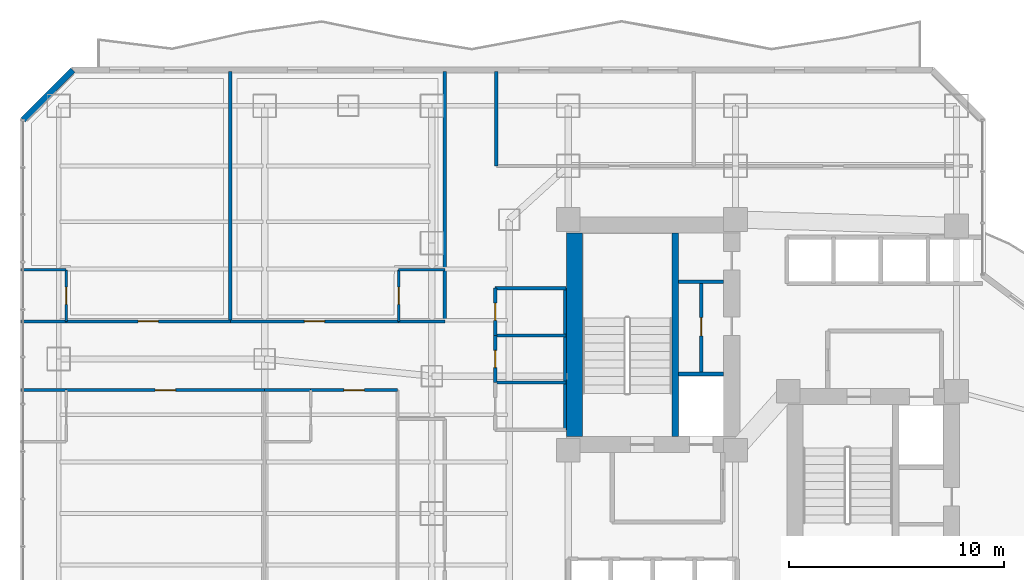
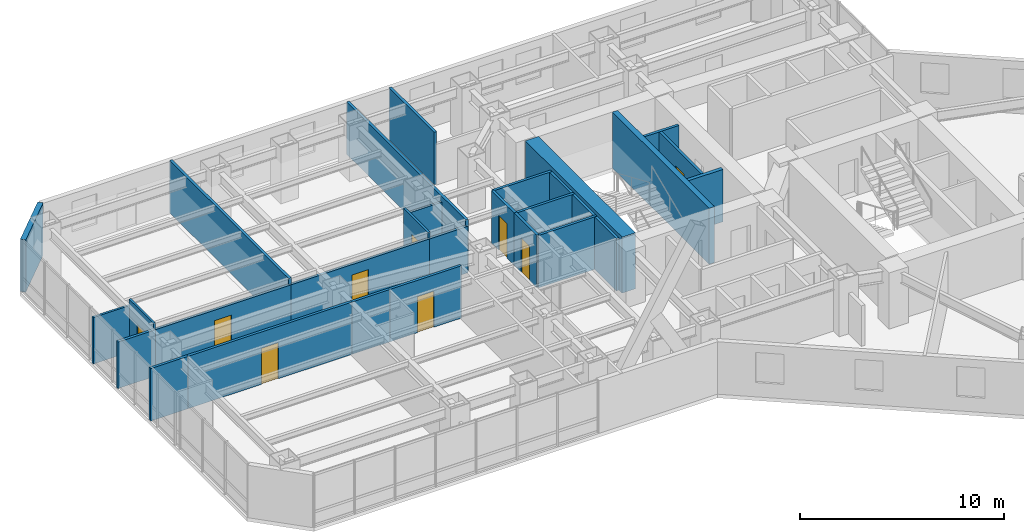
# One storey, part 26 of 33: 27 walls, 9 doors, 9 openings.
"""IFC4 building model written with IfcOpenShell, lengths in metres."""

from ifc_helpers import new_model, si_unit, direction, frame, frame_2d, origin, place, context, subcontext, project, spatial, rectangle, extrude, material, layer, layer_set, type_object, element, fill, save


model = new_model("IFC4")

# Units and contexts
model_context = context("Model", 3, precision=1e-05, world=origin(), true_north=direction((0.0, 1.0)))
body_context = subcontext(model_context, "Body", "Model", "MODEL_VIEW")
ifc_project = project(units=[si_unit("LENGTHUNIT", "METRE"), si_unit("AREAUNIT", "SQUARE_METRE"), si_unit("VOLUMEUNIT", "CUBIC_METRE"), si_unit("PLANEANGLEUNIT", "RADIAN"), si_unit("MASSUNIT", "GRAM", prefix="KILO")], contexts=[model_context])

# Site, building, storey
site_placement = place(None, origin())
site = spatial("IfcSite", under=ifc_project, at=site_placement, CompositionType="ELEMENT")
building_placement = place(site_placement, origin())
building = spatial("IfcBuilding", under=site, at=building_placement, Name="Hatsunagi Terrace Concourse", CompositionType="ELEMENT")
storey_placement = place(building_placement, frame((0.0, 0.0, 53.35009765625)))
storey = spatial("IfcBuildingStorey", under=building, at=storey_placement, Name="L13", CompositionType="ELEMENT", Elevation=53.35009765625)

# Walls
ifc_material_1 = material(Name="Concrete Fc60", Category="concrete")
ifc_layer_1 = layer(ifc_material_1, 0.75)
ifc_layer_set_1 = layer_set([ifc_layer_1], Name="CoreShearWall_Fc60_750")
wall_type_1 = type_object("IfcWallType", Name="CoreShearWall_Fc60_750", PredefinedType="SHEAR", material=ifc_layer_set_1)
wall_1_placement = place(storey_placement, frame((25.844970703125, 33.18994140625, 0.0), z_axis=(0.0, 0.0, 1.0), x_axis=(0.0, 1.0, 0.0)))
element("IfcWall", 1, at=wall_1_placement, inside=storey, type_object=wall_type_1, Name="Core A Shear Wall W L13", PredefinedType="SHEAR", context=body_context, shape_type="SweptSolid", body=[
    extrude(rectangle(XDim=9.47998046875, YDim=0.75, at=frame_2d((4.739990234375, 0.0))), origin(), (0.0, 0.0, 1.0), 3.349853515625),
])
ifc_material_2 = material(Name="Concrete Fc48", Category="concrete")
ifc_layer_2 = layer(ifc_material_2, 0.300048828125)
ifc_layer_set_2 = layer_set([ifc_layer_2], Name="CoreStairDivider_Fc48_300")
wall_type_2 = type_object("IfcWallType", Name="CoreStairDivider_Fc48_300", PredefinedType="SHEAR", material=ifc_layer_set_2)
wall_2_placement = place(storey_placement, frame((30.5400390625, 33.18994140625, 0.0), z_axis=(0.0, 0.0, 1.0), x_axis=(0.0, 1.0, 0.0)))
element("IfcWall", 2, at=wall_2_placement, inside=storey, type_object=wall_type_2, Name="Core A Shear Wall D L13", PredefinedType="SHEAR", context=body_context, shape_type="SweptSolid", body=[
    extrude(rectangle(XDim=9.47998046875, YDim=0.300048828125, at=frame_2d((4.739990234375, 0.0))), origin(), (0.0, 0.0, 1.0), 3.349853515625),
])

# Wall, opening, door
ifc_material_3 = material(Name="Acoustic mineral board", Category="gypsum")
ifc_layer_3 = layer(ifc_material_3, 0.1201171875)
ifc_layer_set_3 = layer_set([ifc_layer_3], Name="PartitionWall_EI30_120")
wall_type_3 = type_object("IfcWallType", Name="PartitionWall_EI30_120", PredefinedType="PARTITIONING", material=ifc_layer_set_3)
wall_3_placement = place(storey_placement, frame((2.14990234375, 38.550048828125, 0.0), z_axis=(0.0, 0.0, 1.0), x_axis=(0.0, 1.0, 0.0)))
wall_3 = element("IfcWall", 3, at=wall_3_placement, inside=storey, type_object=wall_type_3, Name="Interior Partition IW-L13-047", PredefinedType="PARTITIONING", context=body_context, shape_type="SweptSolid", body=[
    extrude(rectangle(XDim=2.39990234375, YDim=0.1201171875, at=frame_2d((1.199951171875, 0.0))), origin(), (0.0, 0.0, 1.0), 3.1298828125),
])
opening_1_placement = place(wall_3_placement, frame((0.800048828125, 0.0, 0.0)))
opening_1 = element("IfcOpeningElement", 4, at=opening_1_placement, cuts=wall_3, Name="Opening DR-080", PredefinedType="OPENING", context=body_context, shape_type="SweptSolid", body=[
    extrude(rectangle(XDim=0.800048828125, YDim=2.06005859375, at=frame_2d((0.39990234375, 1.030029296875))), frame((0.0, 0.070068359375, 0.0), z_axis=(0.0, -1.0, 0.0), x_axis=(1.0, 0.0, 0.0)), (0.0, 0.0, 1.0), 0.14013671875),
])
ifc_material_4 = material(Name="Hardwood timber", Category="wood")
door_type_1 = type_object("IfcDoorType", Name="BathroomDoor_800", OperationType="NOTDEFINED", PredefinedType="DOOR", material=ifc_material_4)
door_1_placement = place(opening_1_placement, origin())
door_1 = element("IfcDoor", 5, at=door_1_placement, inside=storey, type_object=door_type_1, Name="En-Suite Bathroom L13-N1 Door", OperationType="SINGLE_SWING_RIGHT", OverallHeight=2.06005859375, OverallWidth=0.800048828125, PredefinedType="DOOR", context=body_context, shape_type="SweptSolid", body=[
    extrude(rectangle(XDim=0.800048828125, YDim=2.06005859375, at=frame_2d((0.39990234375, 1.030029296875))), frame((0.0, 0.02490234375, 0.0), z_axis=(0.0, -1.0, 0.0), x_axis=(1.0, 0.0, 0.0)), (0.0, 0.0, 1.0), 0.050048828125),
])
fill(opening_1, door_1)

# Wall
wall_4_placement = place(storey_placement, frame((0.0400390625, 40.949951171875, 0.0), z_axis=(0.0, 0.0, 1.0), x_axis=(1.0, 0.0, 0.0)))
element("IfcWall", 6, at=wall_4_placement, inside=storey, type_object=wall_type_3, Name="Interior Partition IW-L13-048", PredefinedType="PARTITIONING", context=body_context, shape_type="SweptSolid", body=[
    extrude(rectangle(XDim=2.10986328125, YDim=0.1201171875, at=frame_2d((1.054931640625, 0.0))), origin(), (0.0, 0.0, 1.0), 2.77490234375),
])

# Wall, opening, door
wall_5_placement = place(storey_placement, frame((17.64990234375, 38.550048828125, 0.0), z_axis=(0.0, 0.0, 1.0), x_axis=(0.0, 1.0, 0.0)))
wall_5 = element("IfcWall", 7, at=wall_5_placement, inside=storey, type_object=wall_type_3, Name="Interior Partition IW-L13-052", PredefinedType="PARTITIONING", context=body_context, shape_type="SweptSolid", body=[
    extrude(rectangle(XDim=2.39990234375, YDim=0.1201171875, at=frame_2d((1.199951171875, 0.0))), origin(), (0.0, 0.0, 1.0), 3.1298828125),
])
opening_2_placement = place(wall_5_placement, frame((0.800048828125, 0.0, 0.0)))
opening_2 = element("IfcOpeningElement", 8, at=opening_2_placement, cuts=wall_5, Name="Opening DR-080", PredefinedType="OPENING", context=body_context, shape_type="SweptSolid", body=[
    extrude(rectangle(XDim=0.800048828125, YDim=2.06005859375, at=frame_2d((0.39990234375, 1.030029296875))), frame((0.0, 0.070068359375, 0.0), z_axis=(0.0, -1.0, 0.0), x_axis=(1.0, 0.0, 0.0)), (0.0, 0.0, 1.0), 0.14013671875),
])
door_2_placement = place(opening_2_placement, origin())
door_2 = element("IfcDoor", 9, at=door_2_placement, inside=storey, type_object=door_type_1, Name="En-Suite Bathroom L13-N2 Door", OperationType="SINGLE_SWING_LEFT", OverallHeight=2.06005859375, OverallWidth=0.800048828125, PredefinedType="DOOR", context=body_context, shape_type="SweptSolid", body=[
    extrude(rectangle(XDim=0.800048828125, YDim=2.06005859375, at=frame_2d((0.39990234375, 1.030029296875))), frame((0.0, 0.02490234375, 0.0), z_axis=(0.0, -1.0, 0.0), x_axis=(1.0, 0.0, 0.0)), (0.0, 0.0, 1.0), 0.050048828125),
])
fill(opening_2, door_2)

# Wall
wall_6_placement = place(storey_placement, frame((17.64990234375, 40.949951171875, 0.0), z_axis=(0.0, 0.0, 1.0), x_axis=(1.0, 0.0, 0.0)))
element("IfcWall", 10, at=wall_6_placement, inside=storey, type_object=wall_type_3, Name="Interior Partition IW-L13-053", PredefinedType="PARTITIONING", context=body_context, shape_type="SweptSolid", body=[
    extrude(rectangle(XDim=2.150146484375, YDim=0.1201171875, at=frame_2d((1.0751953125, 0.0))), origin(), (0.0, 0.0, 1.0), 2.77490234375),
])

# Wall, opening, door
ifc_material_5 = material(Name="Acoustic mineral board", Category="gypsum")
ifc_layer_4 = layer(ifc_material_5, 0.14990234375)
ifc_layer_set_4 = layer_set([ifc_layer_4], Name="PartitionWall_EI60_150")
wall_type_4 = type_object("IfcWallType", Name="PartitionWall_EI60_150", PredefinedType="PARTITIONING", material=ifc_layer_set_4)
wall_7_placement = place(storey_placement, frame((31.75, 36.179931640625, 0.0), z_axis=(0.0, 0.0, 1.0), x_axis=(0.0, 1.0, 0.0)))
wall_7 = element("IfcWall", 11, at=wall_7_placement, inside=storey, type_object=wall_type_4, Name="Interior Partition IW-L13-002", PredefinedType="PARTITIONING", context=body_context, shape_type="SweptSolid", body=[
    extrude(rectangle(XDim=4.239990234375, YDim=0.14990234375, at=frame_2d((2.1201171875, 0.0))), origin(), (0.0, 0.0, 1.0), 3.1298828125),
])
opening_3_placement = place(wall_7_placement, frame((1.695068359375, 0.0, 0.0)))
opening_3 = element("IfcOpeningElement", 12, at=opening_3_placement, cuts=wall_7, Name="Opening DR-085", PredefinedType="OPENING", context=body_context, shape_type="SweptSolid", body=[
    extrude(rectangle(XDim=0.85009765625, YDim=2.080078125, at=frame_2d((0.425048828125, 1.0400390625))), frame((0.0, 0.0849609375, 0.0), z_axis=(0.0, -1.0, 0.0), x_axis=(1.0, 0.0, 0.0)), (0.0, 0.0, 1.0), 0.169921875),
])
ifc_material_6 = material(Name="Painted steel", Category="steel")
door_type_2 = type_object("IfcDoorType", Name="RiserAccessDoor_EI60_850", OperationType="NOTDEFINED", PredefinedType="DOOR", material=ifc_material_6)
door_3_placement = place(opening_3_placement, origin())
door_3 = element("IfcDoor", 13, at=door_3_placement, inside=storey, type_object=door_type_2, Name="Core A Sub-Riser Door L13", OperationType="SINGLE_SWING_LEFT", OverallHeight=2.080078125, OverallWidth=0.85009765625, PredefinedType="DOOR", context=body_context, shape_type="SweptSolid", body=[
    extrude(rectangle(XDim=0.85009765625, YDim=2.080078125, at=frame_2d((0.425048828125, 1.0400390625))), frame((0.0, 0.02490234375, 0.0), z_axis=(0.0, -1.0, 0.0), x_axis=(1.0, 0.0, 0.0)), (0.0, 0.0, 1.0), 0.050048828125),
])
fill(opening_3, door_3)

# Walls
wall_8_placement = place(storey_placement, frame((30.699951171875, 40.39990234375, 0.0), z_axis=(0.0, 0.0, 1.0), x_axis=(1.0, 0.0, 0.0)))
element("IfcWall", 14, at=wall_8_placement, inside=storey, type_object=wall_type_4, Name="Interior Partition IW-L13-003", PredefinedType="PARTITIONING", context=body_context, shape_type="SweptSolid", body=[
    extrude(rectangle(XDim=2.10009765625, YDim=0.14990234375, at=frame_2d((1.050048828125, 0.0))), origin(), (0.0, 0.0, 1.0), 3.1298828125),
])
wall_9_placement = place(storey_placement, frame((22.14990234375, 40.10009765625, 0.0), z_axis=(0.0, 0.0, 1.0), x_axis=(1.0, 0.0, 0.0)))
element("IfcWall", 15, at=wall_9_placement, inside=storey, type_object=wall_type_4, Name="Interior Partition IW-L13-031", PredefinedType="PARTITIONING", context=body_context, shape_type="SweptSolid", body=[
    extrude(rectangle(XDim=3.300048828125, YDim=0.14990234375, at=frame_2d((1.64990234375, 0.0))), origin(), (0.0, 0.0, 1.0), 3.1298828125),
])
wall_10_placement = place(storey_placement, frame((25.39990234375, 33.5, 0.0), z_axis=(0.0, 0.0, 1.0), x_axis=(0.0, 1.0, 0.0)))
element("IfcWall", 16, at=wall_10_placement, inside=storey, type_object=wall_type_4, Name="Interior Partition IW-L13-032", PredefinedType="PARTITIONING", context=body_context, shape_type="SweptSolid", body=[
    extrude(rectangle(XDim=6.60009765625, YDim=0.14990234375, at=frame_2d((3.300048828125, 0.0))), origin(), (0.0, 0.0, 1.0), 3.1298828125),
])
for number, where, z_axis, x_axis, name in (
    (17, (22.14990234375, 35.699951171875, 0.0), (0.0, 0.0, 1.0), (1.0, 0.0, 0.0), "Interior Partition IW-L13-033"),
    (18, (22.14990234375, 37.89990234375, 0.0), (0.0, 0.0, 1.0), (1.0, 0.0, 0.0), "Interior Partition IW-L13-034"),
):
    element("IfcWall", number, at=place(storey_placement, frame(where, z_axis=z_axis, x_axis=x_axis)), inside=storey, type_object=wall_type_4, Name=name, PredefinedType="PARTITIONING", context=body_context, shape_type="SweptSolid", body=[
        extrude(rectangle(XDim=3.300048828125, YDim=0.14990234375, at=frame_2d((1.64990234375, 0.0))), origin(), (0.0, 0.0, 1.0), 3.1298828125),
    ])

# Wall, opening, door
wall_11_placement = place(storey_placement, frame((22.14990234375, 35.699951171875, 0.0), z_axis=(0.0, 0.0, 1.0), x_axis=(0.0, 1.0, 0.0)))
wall_11 = element("IfcWall", 19, at=wall_11_placement, inside=storey, type_object=wall_type_4, Name="Interior Partition IW-L13-036", PredefinedType="PARTITIONING", context=body_context, shape_type="SweptSolid", body=[
    extrude(rectangle(XDim=2.199951171875, YDim=0.14990234375, at=frame_2d((1.10009765625, 0.0))), origin(), (0.0, 0.0, 1.0), 3.1298828125),
])
opening_4_placement = place(wall_11_placement, frame((0.699951171875, 0.0, 0.0)))
opening_4 = element("IfcOpeningElement", 20, at=opening_4_placement, cuts=wall_11, Name="Opening DR-080", PredefinedType="OPENING", context=body_context, shape_type="SweptSolid", body=[
    extrude(rectangle(XDim=0.800048828125, YDim=2.06005859375, at=frame_2d((0.39990234375, 1.030029296875))), frame((0.0, 0.0849609375, 0.0), z_axis=(0.0, -1.0, 0.0), x_axis=(1.0, 0.0, 0.0)), (0.0, 0.0, 1.0), 0.169921875),
])
door_4_placement = place(opening_4_placement, origin())
door_4 = element("IfcDoor", 21, at=door_4_placement, inside=storey, type_object=door_type_1, Name="Female Restroom Door L13", OperationType="SINGLE_SWING_RIGHT", OverallHeight=2.06005859375, OverallWidth=0.800048828125, PredefinedType="DOOR", context=body_context, shape_type="SweptSolid", body=[
    extrude(rectangle(XDim=0.800048828125, YDim=2.06005859375, at=frame_2d((0.39990234375, 1.030029296875))), frame((0.0, 0.02490234375, 0.0), z_axis=(0.0, -1.0, 0.0), x_axis=(1.0, 0.0, 0.0)), (0.0, 0.0, 1.0), 0.050048828125),
])
fill(opening_4, door_4)

wall_12_placement = place(storey_placement, frame((22.14990234375, 37.89990234375, 0.0), z_axis=(0.0, 0.0, 1.0), x_axis=(0.0, 1.0, 0.0)))
wall_12 = element("IfcWall", 22, at=wall_12_placement, inside=storey, type_object=wall_type_4, Name="Interior Partition IW-L13-037", PredefinedType="PARTITIONING", context=body_context, shape_type="SweptSolid", body=[
    extrude(rectangle(XDim=2.2001953125, YDim=0.14990234375, at=frame_2d((1.10009765625, 0.0))), origin(), (0.0, 0.0, 1.0), 3.1298828125),
])
opening_5_placement = place(wall_12_placement, frame((0.699951171875, 0.0, 0.0)))
opening_5 = element("IfcOpeningElement", 23, at=opening_5_placement, cuts=wall_12, Name="Opening DR-080", PredefinedType="OPENING", context=body_context, shape_type="SweptSolid", body=[
    extrude(rectangle(XDim=0.800048828125, YDim=2.06005859375, at=frame_2d((0.39990234375, 1.030029296875))), frame((0.0, 0.0849609375, 0.0), z_axis=(0.0, -1.0, 0.0), x_axis=(1.0, 0.0, 0.0)), (0.0, 0.0, 1.0), 0.169921875),
])
door_5_placement = place(opening_5_placement, origin())
door_5 = element("IfcDoor", 24, at=door_5_placement, inside=storey, type_object=door_type_1, Name="Male Restroom Door L13", OperationType="SINGLE_SWING_RIGHT", OverallHeight=2.06005859375, OverallWidth=0.800048828125, PredefinedType="DOOR", context=body_context, shape_type="SweptSolid", body=[
    extrude(rectangle(XDim=0.800048828125, YDim=2.06005859375, at=frame_2d((0.39990234375, 1.030029296875))), frame((0.0, 0.02490234375, 0.0), z_axis=(0.0, -1.0, 0.0), x_axis=(1.0, 0.0, 0.0)), (0.0, 0.0, 1.0), 0.050048828125),
])
fill(opening_5, door_5)

# Walls
wall_13_placement = place(storey_placement, frame((22.199951171875, 45.800048828125, 0.0), z_axis=(0.0, 0.0, 1.0), x_axis=(0.0, 1.0, 0.0)))
element("IfcWall", 25, at=wall_13_placement, inside=storey, type_object=wall_type_4, Name="Interior Partition IW-L13-039", PredefinedType="PARTITIONING", context=body_context, shape_type="SweptSolid", body=[
    extrude(rectangle(XDim=4.39990234375, YDim=0.14990234375, at=frame_2d((2.199951171875, 0.0))), origin(), (0.0, 0.0, 1.0), 3.1298828125),
])
wall_14_placement = place(storey_placement, frame((0.0400390625, 38.550048828125, 0.0), z_axis=(0.0, 0.0, 1.0), x_axis=(1.0, 0.0, 0.0)))
element("IfcWall", 26, at=wall_14_placement, inside=storey, type_object=wall_type_4, Name="Interior Partition IW-L13-045", PredefinedType="PARTITIONING", context=body_context, shape_type="SweptSolid", body=[
    extrude(rectangle(XDim=2.10986328125, YDim=0.14990234375, at=frame_2d((1.054931640625, 0.0))), origin(), (0.0, 0.0, 1.0), 2.77490234375),
])

# Wall, opening, door
wall_15_placement = place(storey_placement, frame((2.14990234375, 38.550048828125, 0.0), z_axis=(0.0, 0.0, 1.0), x_axis=(1.0, 0.0, 0.0)))
wall_15 = element("IfcWall", 27, at=wall_15_placement, inside=storey, type_object=wall_type_4, Name="Interior Partition IW-L13-046", PredefinedType="PARTITIONING", context=body_context, shape_type="SweptSolid", body=[
    extrude(rectangle(XDim=7.650146484375, YDim=0.14990234375, at=frame_2d((3.8251953125, 0.0))), origin(), (0.0, 0.0, 1.0), 2.77490234375),
])
opening_6_placement = place(wall_15_placement, frame((3.35009765625, 0.0, 0.0)))
opening_6 = element("IfcOpeningElement", 28, at=opening_6_placement, cuts=wall_15, Name="Opening DR-095", PredefinedType="OPENING", context=body_context, shape_type="SweptSolid", body=[
    extrude(rectangle(XDim=0.949951171875, YDim=2.14990234375, at=frame_2d((0.47509765625, 1.074951171875))), frame((0.0, 0.0849609375, 0.0), z_axis=(0.0, -1.0, 0.0), x_axis=(1.0, 0.0, 0.0)), (0.0, 0.0, 1.0), 0.169921875),
])
ifc_material_7 = material(Name="Hardwood timber", Category="wood")
door_type_3 = type_object("IfcDoorType", Name="InteriorSuiteDoor_EI30_950", OperationType="NOTDEFINED", PredefinedType="DOOR", material=ifc_material_7)
door_6_placement = place(opening_6_placement, origin())
door_6 = element("IfcDoor", 29, at=door_6_placement, inside=storey, type_object=door_type_3, Name="Corner Hotel Suite L13-N1 Door", OperationType="SINGLE_SWING_LEFT", OverallHeight=2.14990234375, OverallWidth=0.949951171875, PredefinedType="DOOR", context=body_context, shape_type="SweptSolid", body=[
    extrude(rectangle(XDim=0.949951171875, YDim=2.14990234375, at=frame_2d((0.47509765625, 1.074951171875))), frame((0.0, 0.02490234375, 0.0), z_axis=(0.0, -1.0, 0.0), x_axis=(1.0, 0.0, 0.0)), (0.0, 0.0, 1.0), 0.050048828125),
])
fill(opening_6, door_6)

# Wall
wall_16_placement = place(storey_placement, frame((9.800048828125, 38.550048828125, 0.0), z_axis=(0.0, 0.0, 1.0), x_axis=(0.0, 1.0, 0.0)))
element("IfcWall", 30, at=wall_16_placement, inside=storey, type_object=wall_type_4, Name="Interior Partition IW-L13-049", PredefinedType="PARTITIONING", context=body_context, shape_type="SweptSolid", body=[
    extrude(rectangle(XDim=11.64990234375, YDim=0.14990234375, at=frame_2d((5.824951171875, 0.0))), origin(), (0.0, 0.0, 1.0), 3.1298828125),
])

# Wall, opening, door
wall_17_placement = place(storey_placement, frame((9.800048828125, 38.550048828125, 0.0), z_axis=(0.0, 0.0, 1.0), x_axis=(1.0, 0.0, 0.0)))
wall_17 = element("IfcWall", 31, at=wall_17_placement, inside=storey, type_object=wall_type_4, Name="Interior Partition IW-L13-050", PredefinedType="PARTITIONING", context=body_context, shape_type="SweptSolid", body=[
    extrude(rectangle(XDim=7.849853515625, YDim=0.14990234375, at=frame_2d((3.9248046875, 0.0))), origin(), (0.0, 0.0, 1.0), 2.77490234375),
])
opening_7_placement = place(wall_17_placement, frame((3.449951171875, 0.0, 0.0)))
opening_7 = element("IfcOpeningElement", 32, at=opening_7_placement, cuts=wall_17, Name="Opening DR-095", PredefinedType="OPENING", context=body_context, shape_type="SweptSolid", body=[
    extrude(rectangle(XDim=0.949951171875, YDim=2.14990234375, at=frame_2d((0.47509765625, 1.074951171875))), frame((0.0, 0.0849609375, 0.0), z_axis=(0.0, -1.0, 0.0), x_axis=(1.0, 0.0, 0.0)), (0.0, 0.0, 1.0), 0.169921875),
])
door_7_placement = place(opening_7_placement, origin())
door_7 = element("IfcDoor", 33, at=door_7_placement, inside=storey, type_object=door_type_3, Name="Corner Hotel Suite L13-N2 Door", OperationType="SINGLE_SWING_LEFT", OverallHeight=2.14990234375, OverallWidth=0.949951171875, PredefinedType="DOOR", context=body_context, shape_type="SweptSolid", body=[
    extrude(rectangle(XDim=0.949951171875, YDim=2.14990234375, at=frame_2d((0.47509765625, 1.074951171875))), frame((0.0, 0.02490234375, 0.0), z_axis=(0.0, -1.0, 0.0), x_axis=(1.0, 0.0, 0.0)), (0.0, 0.0, 1.0), 0.050048828125),
])
fill(opening_7, door_7)

# Walls
wall_18_placement = place(storey_placement, frame((17.64990234375, 38.550048828125, 0.0), z_axis=(0.0, 0.0, 1.0), x_axis=(1.0, 0.0, 0.0)))
element("IfcWall", 34, at=wall_18_placement, inside=storey, type_object=wall_type_4, Name="Interior Partition IW-L13-051", PredefinedType="PARTITIONING", context=body_context, shape_type="SweptSolid", body=[
    extrude(rectangle(XDim=2.150146484375, YDim=0.14990234375, at=frame_2d((1.0751953125, 0.0))), origin(), (0.0, 0.0, 1.0), 2.77490234375),
])
wall_19_placement = place(storey_placement, frame((19.800048828125, 38.550048828125, 0.0), z_axis=(0.0, 0.0, 1.0), x_axis=(0.0, 1.0, 0.0)))
element("IfcWall", 35, at=wall_19_placement, inside=storey, type_object=wall_type_4, Name="Interior Partition IW-L13-054", PredefinedType="PARTITIONING", context=body_context, shape_type="SweptSolid", body=[
    extrude(rectangle(XDim=11.64990234375, YDim=0.14990234375, at=frame_2d((5.824951171875, 0.0))), origin(), (0.0, 0.0, 1.0), 3.1298828125),
])
wall_20_placement = place(storey_placement, frame((0.0400390625, 35.35009765625, 0.0), z_axis=(0.0, 0.0, 1.0), x_axis=(1.0, 0.0, 0.0)))
element("IfcWall", 36, at=wall_20_placement, inside=storey, type_object=wall_type_4, Name="Interior Partition IW-L13-055", PredefinedType="PARTITIONING", context=body_context, shape_type="SweptSolid", body=[
    extrude(rectangle(XDim=2.10986328125, YDim=0.14990234375, at=frame_2d((1.054931640625, 0.0))), origin(), (0.0, 0.0, 1.0), 3.1298828125),
])

# Wall, opening, door
wall_21_placement = place(storey_placement, frame((2.14990234375, 35.35009765625, 0.0), z_axis=(0.0, 0.0, 1.0), x_axis=(1.0, 0.0, 0.0)))
wall_21 = element("IfcWall", 37, at=wall_21_placement, inside=storey, type_object=wall_type_4, Name="Interior Partition IW-L13-056", PredefinedType="PARTITIONING", context=body_context, shape_type="SweptSolid", body=[
    extrude(rectangle(XDim=9.25, YDim=0.14990234375, at=frame_2d((4.625, 0.0))), origin(), (0.0, 0.0, 1.0), 3.1298828125),
])
opening_8_placement = place(wall_21_placement, frame((4.14990234375, 0.0, 0.0)))
opening_8 = element("IfcOpeningElement", 38, at=opening_8_placement, cuts=wall_21, Name="Opening DR-095", PredefinedType="OPENING", context=body_context, shape_type="SweptSolid", body=[
    extrude(rectangle(XDim=0.949951171875, YDim=2.14990234375, at=frame_2d((0.47509765625, 1.074951171875))), frame((0.0, 0.0849609375, 0.0), z_axis=(0.0, -1.0, 0.0), x_axis=(1.0, 0.0, 0.0)), (0.0, 0.0, 1.0), 0.169921875),
])
door_8_placement = place(opening_8_placement, origin())
door_8 = element("IfcDoor", 39, at=door_8_placement, inside=storey, type_object=door_type_3, Name="Corner Hotel Suite L13-S1 Door", OperationType="SINGLE_SWING_RIGHT", OverallHeight=2.14990234375, OverallWidth=0.949951171875, PredefinedType="DOOR", context=body_context, shape_type="SweptSolid", body=[
    extrude(rectangle(XDim=0.949951171875, YDim=2.14990234375, at=frame_2d((0.47509765625, 1.074951171875))), frame((0.0, 0.02490234375, 0.0), z_axis=(0.0, -1.0, 0.0), x_axis=(1.0, 0.0, 0.0)), (0.0, 0.0, 1.0), 0.050048828125),
])
fill(opening_8, door_8)

# Wall
wall_22_placement = place(storey_placement, frame((11.39990234375, 35.35009765625, 0.0), z_axis=(0.0, 0.0, 1.0), x_axis=(1.0, 0.0, 0.0)))
element("IfcWall", 40, at=wall_22_placement, inside=storey, type_object=wall_type_4, Name="Interior Partition IW-L13-060", PredefinedType="PARTITIONING", context=body_context, shape_type="SweptSolid", body=[
    extrude(rectangle(XDim=2.150146484375, YDim=0.14990234375, at=frame_2d((1.0751953125, 0.0))), origin(), (0.0, 0.0, 1.0), 3.1298828125),
])

# Wall, opening, door
wall_23_placement = place(storey_placement, frame((13.550048828125, 35.35009765625, 0.0), z_axis=(0.0, 0.0, 1.0), x_axis=(1.0, 0.0, 0.0)))
wall_23 = element("IfcWall", 41, at=wall_23_placement, inside=storey, type_object=wall_type_4, Name="Interior Partition IW-L13-061", PredefinedType="PARTITIONING", context=body_context, shape_type="SweptSolid", body=[
    extrude(rectangle(XDim=4.050048828125, YDim=0.14990234375, at=frame_2d((2.02490234375, 0.0))), origin(), (0.0, 0.0, 1.0), 3.1298828125),
])
opening_9_placement = place(wall_23_placement, frame((1.550048828125, 0.0, 0.0)))
opening_9 = element("IfcOpeningElement", 42, at=opening_9_placement, cuts=wall_23, Name="Opening DR-095", PredefinedType="OPENING", context=body_context, shape_type="SweptSolid", body=[
    extrude(rectangle(XDim=0.949951171875, YDim=2.14990234375, at=frame_2d((0.47509765625, 1.074951171875))), frame((0.0, 0.0849609375, 0.0), z_axis=(0.0, -1.0, 0.0), x_axis=(1.0, 0.0, 0.0)), (0.0, 0.0, 1.0), 0.169921875),
])
door_9_placement = place(opening_9_placement, origin())
door_9 = element("IfcDoor", 43, at=door_9_placement, inside=storey, type_object=door_type_3, Name="Hotel Guest Room L13-S2 Door", OperationType="SINGLE_SWING_RIGHT", OverallHeight=2.14990234375, OverallWidth=0.949951171875, PredefinedType="DOOR", context=body_context, shape_type="SweptSolid", body=[
    extrude(rectangle(XDim=0.949951171875, YDim=2.14990234375, at=frame_2d((0.47509765625, 1.074951171875))), frame((0.0, 0.02490234375, 0.0), z_axis=(0.0, -1.0, 0.0), x_axis=(1.0, 0.0, 0.0)), (0.0, 0.0, 1.0), 0.050048828125),
])
fill(opening_9, door_9)

# Walls
ifc_material_8 = material(Name="Acoustic mineral board", Category="gypsum")
ifc_layer_5 = layer(ifc_material_8, 0.199951171875)
ifc_layer_set_5 = layer_set([ifc_layer_5], Name="ShaftWall_EI120_200")
wall_type_5 = type_object("IfcWallType", Name="ShaftWall_EI120_200", PredefinedType="STANDARD", material=ifc_layer_set_5)
wall_24_placement = place(storey_placement, frame((30.699951171875, 36.10009765625, 0.0), z_axis=(0.0, 0.0, 1.0), x_axis=(1.0, 0.0, 0.0)))
element("IfcWall", 44, at=wall_24_placement, inside=storey, type_object=wall_type_5, Name="Interior Partition IW-L13-001", PredefinedType="STANDARD", context=body_context, shape_type="SweptSolid", body=[
    extrude(rectangle(XDim=2.10009765625, YDim=0.199951171875, at=frame_2d((1.050048828125, 0.0))), origin(), (0.0, 0.0, 1.0), 3.1298828125),
])
ifc_material_9 = material(Name="Autoclaved Lightweight Concrete and Terracotta Cladding", Category="masonry")
ifc_layer_6 = layer(ifc_material_9, 0.280029296875)
ifc_layer_set_6 = layer_set([ifc_layer_6], Name="TerracottaSpandrelWall_280")
wall_type_6 = type_object("IfcWallType", Name="TerracottaSpandrelWall_280", PredefinedType="STANDARD", material=ifc_layer_set_6)
wall_25_placement = place(storey_placement, frame((0.139892578125, 47.94189453125, 0.0), z_axis=(0.0, 0.0, 1.0), x_axis=(0.707106781187, 0.707106781187, 0.0)))
element("IfcWall", 45, at=wall_25_placement, inside=storey, type_object=wall_type_6, Name="Exterior Spandrel Wall EW-L13-10", PredefinedType="STANDARD", context=body_context, shape_type="SweptSolid", body=[
    extrude(rectangle(XDim=3.2783203125, YDim=0.280029296875, at=frame_2d((1.63916015625, 0.0))), origin(), (0.0, 0.0, 1.0), 3.1298828125),
])

save(model, "model.ifc")
